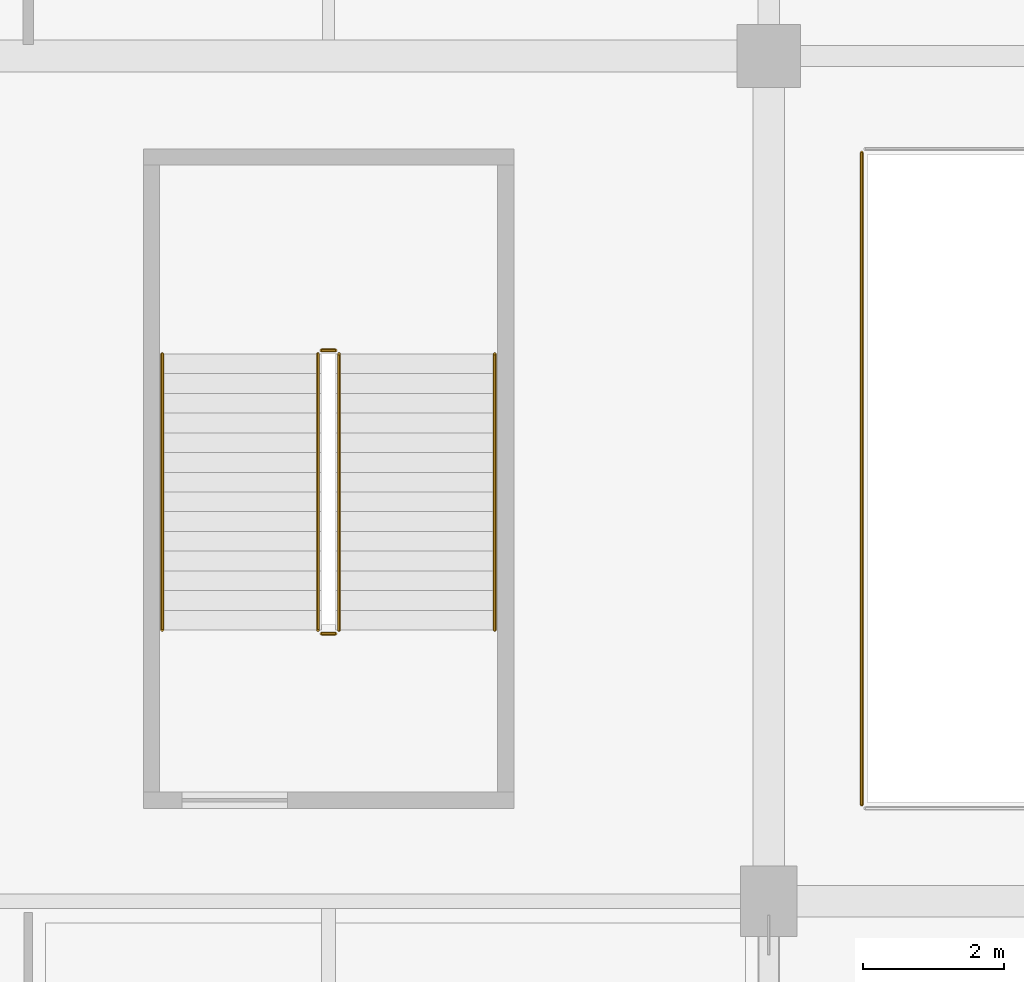
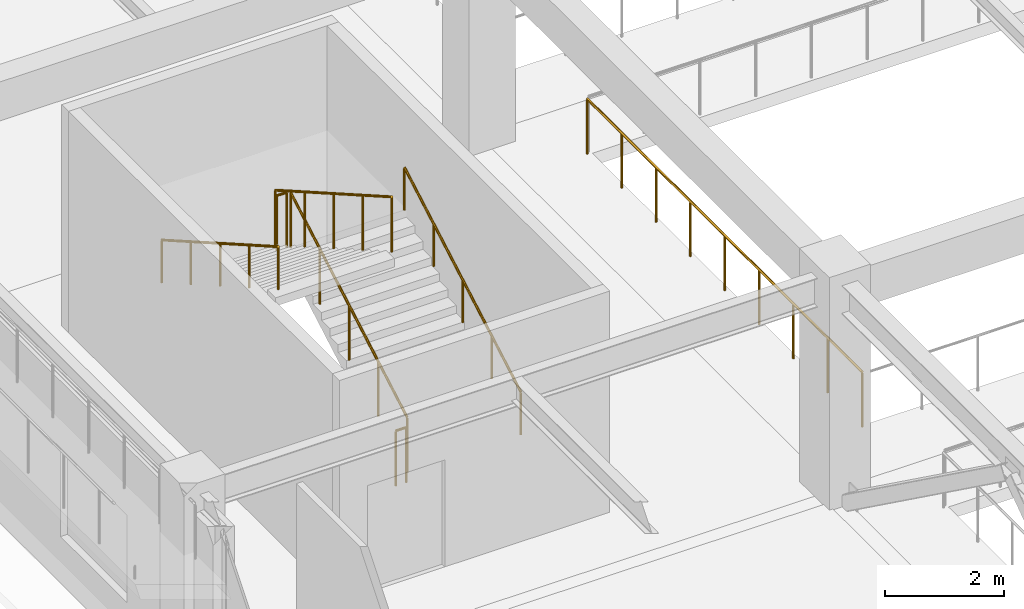
# One storey, part 119 of 134: 7 railings.
"""IFC4 building model written with IfcOpenShell, lengths in metres."""

import ifcopenshell
import ifcopenshell.guid

model = None  # the IFC model being written
_history = None  # IfcOwnerHistory: only IFC2X3 demands one
_inside = {}  # id of a spatial element -> (the spatial element, [elements in it])
_under = {}  # id of a project, library or spatial element -> (it, [spatial elements below it])
_declared = {}  # id of a project -> (the project, [libraries it declares])
_typed = {}  # id of a type object -> (the type object, [elements of that type])
_made_of = {}  # id of a material, layer set ... -> (it, [elements and type objects made of it])


def new_model(schema):
    """Start an empty IFC model of exactly this schema.

    Asked for "IFC4X3", IfcOpenShell would pick the latest addendum, in which some entities
    have other attributes; the version numbers below select the first issue.
    IFC2X3 requires an IfcOwnerHistory on every rooted entity: one is made here for all.
    """
    global model, _history
    if schema == "IFC4X3":
        model = ifcopenshell.file(schema_version=(4, 3, 0, 0))
    else:
        model = ifcopenshell.file(schema=schema)
    _inside.clear()
    _under.clear()
    _declared.clear()
    _typed.clear()
    _made_of.clear()
    _history = None
    if model.schema == "IFC2X3":
        org = make("IfcOrganization", Name="unknown")
        user = make(
            "IfcPersonAndOrganization",
            ThePerson=make("IfcPerson", FamilyName="unknown"),
            TheOrganization=org,
        )
        app = make(
            "IfcApplication",
            ApplicationDeveloper=org,
            Version="unknown",
            ApplicationFullName="unknown",
            ApplicationIdentifier="unknown",
        )
        _history = make(
            "IfcOwnerHistory",
            OwningUser=user,
            OwningApplication=app,
            ChangeAction="ADDED",
            CreationDate=0,
        )
    return model


def make(cls, **values):
    """One entity of the class cls with the attributes given. An attribute that is None is left unset."""
    return model.create_entity(
        cls, **{name: value for name, value in values.items() if value is not None}
    )


def rooted(cls, **values):
    """An entity with a GlobalId (a new one), such as an element, a storey or a relation."""
    return make(cls, GlobalId=ifcopenshell.guid.new(), OwnerHistory=_history, **values)


def si_unit(unit_type, name, prefix=None):
    """IfcSIUnit, for example si_unit("LENGTHUNIT", "METRE", prefix="MILLI")."""
    return make("IfcSIUnit", UnitType=unit_type, Prefix=prefix, Name=name)


def assignment(units):
    """IfcUnitAssignment: the units of a project."""
    return None if units is None else make("IfcUnitAssignment", Units=units)


def point(xyz):
    """IfcCartesianPoint."""
    return None if xyz is None else make("IfcCartesianPoint", Coordinates=xyz)


def direction(xyz):
    """IfcDirection."""
    return None if xyz is None else make("IfcDirection", DirectionRatios=xyz)


def frame(location, z_axis=None, x_axis=None):
    """IfcAxis2Placement3D, a coordinate frame: its origin and axes. An axis left out is left unset."""
    return make(
        "IfcAxis2Placement3D",
        Location=point(location),
        Axis=direction(z_axis),
        RefDirection=direction(x_axis),
    )


def frame_2d(location, x_axis=None):
    """IfcAxis2Placement2D, a coordinate frame in the plane: its origin and x axis."""
    return make(
        "IfcAxis2Placement2D", Location=point(location), RefDirection=direction(x_axis)
    )


def origin():
    """The frame at (0, 0, 0) with its axes left unset."""
    return frame((0.0, 0.0, 0.0))


def origin_2d():
    """The frame at (0, 0) in the plane with its x axis left unset."""
    return frame_2d((0.0, 0.0))


def place(relative_to, where):
    """IfcLocalPlacement: puts the frame where relative to a parent placement (None: the world)."""
    return make(
        "IfcLocalPlacement", PlacementRelTo=relative_to, RelativePlacement=where
    )


def context(
    kind, dimensions, precision=None, world=None, true_north=None, identifier=None
):
    """IfcGeometricRepresentationContext, for example the 3D "Model" context."""
    return make(
        "IfcGeometricRepresentationContext",
        ContextIdentifier=identifier,
        ContextType=kind,
        CoordinateSpaceDimension=dimensions,
        Precision=precision,
        WorldCoordinateSystem=world,
        TrueNorth=true_north,
    )


def subcontext(parent, identifier, kind, view, scale=None):
    """IfcGeometricRepresentationSubContext, for example "Body" below "Model"."""
    return make(
        "IfcGeometricRepresentationSubContext",
        ContextIdentifier=identifier,
        ContextType=kind,
        ParentContext=parent,
        TargetScale=scale,
        TargetView=view,
    )


def project(units=None, contexts=None):
    """IfcProject with its units and contexts."""
    return rooted(
        "IfcProject",
        Name="project",
        RepresentationContexts=contexts,
        UnitsInContext=assignment(units),
    )


def spatial(cls, under=None, at=None, **own):
    """A site, building, storey or space (cls), placed at a placement, below another one or the project."""
    s = rooted(cls, ObjectPlacement=at, **own)
    if under is not None:
        _under.setdefault(under.id(), (under, []))[1].append(s)
    return s


def profile(cls, at=None, kind="AREA", **sizes):
    """A parametric profile (cls). Its sizes go by their IFC names, for example OverallWidth=200.0."""
    return make(cls, ProfileType=kind, Position=at, **sizes)


def circle(**sizes):
    """IfcCircleProfileDef."""
    return profile("IfcCircleProfileDef", **sizes)


def extrude(swept, where, along, depth):
    """IfcExtrudedAreaSolid: the profile swept, set in the frame where, extruded along a direction by depth."""
    return make(
        "IfcExtrudedAreaSolid",
        SweptArea=swept,
        Position=where,
        ExtrudedDirection=direction(along),
        Depth=depth,
    )


def shape(context_of_items, identifier, shape_type, items):
    """IfcShapeRepresentation: the items that make up one representation, for example the "Body"."""
    return make(
        "IfcShapeRepresentation",
        ContextOfItems=context_of_items,
        RepresentationIdentifier=identifier,
        RepresentationType=shape_type,
        Items=items,
    )


def material(Name=None, Category=None):
    """IfcMaterial."""
    return make("IfcMaterial", Name=Name, Category=Category)


def layer(
    of_material, thickness, ventilated=None, Name=None, Category=None, Priority=None
):
    """IfcMaterialLayer: one layer of a wall or slab, of a material (None: an air gap)."""
    return make(
        "IfcMaterialLayer",
        Material=of_material,
        LayerThickness=thickness,
        IsVentilated=ventilated,
        Name=Name,
        Category=Category,
        Priority=Priority,
    )


def layer_set(layers, Name=None):
    """IfcMaterialLayerSet."""
    return make("IfcMaterialLayerSet", MaterialLayers=layers, LayerSetName=Name)


def made_of(thing, what):
    """Note that an element or type object is made of a material, layer set ...; save() writes the relation."""
    if what is not None:
        _made_of.setdefault(what.id(), (what, []))[1].append(thing)
    return thing


def type_object(cls, material=None, **own):
    """A type object (cls), such as IfcWallType, which elements share."""
    return made_of(rooted(cls, **own), material)


def element(
    cls,
    number,
    at=None,
    inside=None,
    cuts=None,
    type_object=None,
    material=None,
    context=None,
    identifier="Body",
    shape_type=None,
    held_by="IfcProductDefinitionShape",
    body=None,
    shapes=None,
    **own,
):
    """One element of the class cls, such as IfcWall. Its Tag is "e" and its number.

    at: its placement. inside: the storey or other place that contains it. cuts: it is an
    opening in that element (IfcRelVoidsElement). A single representation is given by context,
    identifier, shape_type and body (its items); several are given by shapes. held_by: the class
    of the entity that holds the representations. save() writes the other relations.
    """
    e = rooted(cls, Tag="e%d" % number, ObjectPlacement=at, **own)
    if body is not None:
        shapes = [shape(context, identifier, shape_type, body)]
    if shapes is not None:
        e.Representation = make(held_by, Representations=shapes)
    if inside is not None:
        _inside.setdefault(inside.id(), (inside, []))[1].append(e)
    if cuts is not None:
        rooted(
            "IfcRelVoidsElement", RelatingBuildingElement=cuts, RelatedOpeningElement=e
        )
    if type_object is not None:
        _typed.setdefault(type_object.id(), (type_object, []))[1].append(e)
    return made_of(e, material)


def aggregate(whole, parts):
    """IfcRelAggregates: a whole, such as a stair, and the parts it consists of."""
    return rooted("IfcRelAggregates", RelatingObject=whole, RelatedObjects=parts)


def save(model, path):
    """Write the relations noted so far, then the file.

    IfcRelAggregates (storeys below a building ...), IfcRelContainedInSpatialStructure (elements
    in a storey), IfcRelDefinesByType, IfcRelAssociatesMaterial and IfcRelDeclares: one each for
    every whole, place, type object, material and project.
    """
    for whole, parts in _under.values():
        aggregate(whole, parts)
    for where, things in _inside.values():
        rooted(
            "IfcRelContainedInSpatialStructure",
            RelatedElements=things,
            RelatingStructure=where,
        )
    for kind, things in _typed.values():
        rooted("IfcRelDefinesByType", RelatedObjects=things, RelatingType=kind)
    for what, things in _made_of.values():
        rooted("IfcRelAssociatesMaterial", RelatedObjects=things, RelatingMaterial=what)
    for by, libraries in _declared.values():
        rooted("IfcRelDeclares", RelatingContext=by, RelatedDefinitions=libraries)
    model.write(path)


model = new_model("IFC4")

# Units and contexts
model_context = context("Model", 3, precision=1e-05, world=origin(), true_north=direction((0.0, 1.0)))
body_context = subcontext(model_context, "Body", "Model", "MODEL_VIEW")
ifc_project = project(units=[si_unit("LENGTHUNIT", "METRE"), si_unit("AREAUNIT", "SQUARE_METRE"), si_unit("VOLUMEUNIT", "CUBIC_METRE"), si_unit("PLANEANGLEUNIT", "RADIAN"), si_unit("MASSUNIT", "GRAM", prefix="KILO")], contexts=[model_context])

# Site, building, storey
site_placement = place(None, origin())
site = spatial("IfcSite", under=ifc_project, at=site_placement, CompositionType="ELEMENT")
building_placement = place(site_placement, origin())
building = spatial("IfcBuilding", under=site, at=building_placement, Name="Kazenohara Klinker Stadium", CompositionType="ELEMENT")
storey_placement = place(building_placement, frame((0.0, 0.0, 5.39990234375)))
storey = spatial("IfcBuildingStorey", under=building, at=storey_placement, Name="L01", CompositionType="ELEMENT", Elevation=5.39990234375)

# Railings
ifc_material_1 = material(Name="Tempered laminated glass and stainless steel 316 balustrade", Category="steel")
ifc_layer_1 = layer(ifc_material_1, 0.090087890625)
ifc_layer_set_1 = layer_set([ifc_layer_1], Name="Tempered laminated glass and stainless steel 316 balustrade")
railing_type_1 = type_object("IfcRailingType", Name="RL-BAL-1150", PredefinedType="BALUSTRADE", material=ifc_layer_set_1)
railing_1_placement = place(storey_placement, frame((188.820068359375, 73.3701171875, 0.0)))
element("IfcRailing", 1, at=railing_1_placement, inside=storey, type_object=railing_type_1, Name="Double-height atrium gallery balustrade BL01-V06-W", PredefinedType="BALUSTRADE", context=body_context, shape_type="SweptSolid", body=[
    extrude(circle(Radius=0.02392578125, at=origin_2d()), frame((0.0, 0.0, 1.1259765625), z_axis=(0.0, 1.0, 0.0), x_axis=(-1.0, 0.0, 0.0)), (0.0, 0.0, 1.0), 9.259765625),
    extrude(circle(Radius=0.02099609375, at=origin_2d()), origin(), (0.0, 0.0, 1.0), 1.101806640625),
    extrude(circle(Radius=0.02099609375, at=origin_2d()), frame((0.0, 1.157470703125, 0.0)), (0.0, 0.0, 1.0), 1.101806640625),
    extrude(circle(Radius=0.02099609375, at=origin_2d()), frame((0.0, 2.31494140625, 0.0)), (0.0, 0.0, 1.0), 1.101806640625),
    extrude(circle(Radius=0.02099609375, at=origin_2d()), frame((0.0, 3.472412109375, 0.0)), (0.0, 0.0, 1.0), 1.101806640625),
    extrude(circle(Radius=0.02099609375, at=origin_2d()), frame((0.0, 4.6298828125, 0.0)), (0.0, 0.0, 1.0), 1.101806640625),
    extrude(circle(Radius=0.02099609375, at=origin_2d()), frame((0.0, 5.787353515625, 0.0)), (0.0, 0.0, 1.0), 1.101806640625),
    extrude(circle(Radius=0.02099609375, at=origin_2d()), frame((0.0, 6.94482421875, 0.0)), (0.0, 0.0, 1.0), 1.101806640625),
    extrude(circle(Radius=0.02099609375, at=origin_2d()), frame((0.0, 8.102294921875, 0.0)), (0.0, 0.0, 1.0), 1.101806640625),
    extrude(circle(Radius=0.02099609375, at=origin_2d()), frame((0.0, 9.259765625, 0.0)), (0.0, 0.0, 1.0), 1.101806640625),
])
ifc_material_2 = material(Name="Brushed stainless steel 304 handrail", Category="steel")
ifc_layer_2 = layer(ifc_material_2, 0.050048828125)
ifc_layer_set_2 = layer_set([ifc_layer_2], Name="Brushed stainless steel 304 handrail")
railing_type_2 = type_object("IfcRailingType", Name="RL-HND-900", PredefinedType="HANDRAIL", material=ifc_layer_set_2)
railing_2_placement = place(storey_placement, frame((183.610107421875, 75.85009765625, 0.16015625)))
element("IfcRailing", 2, at=railing_2_placement, inside=storey, type_object=railing_type_2, Name="L01 ST22 stair handrail 1", PredefinedType="HANDRAIL", context=body_context, shape_type="SweptSolid", body=[
    extrude(circle(Radius=0.02392578125, at=origin_2d()), frame((0.0, 0.0, 0.8759765625), z_axis=(0.0, 0.868239814368, 0.496144761885), x_axis=(-1.0, 0.0, 0.0)), (0.0, 0.0, 1.0), 4.514892578125),
    extrude(circle(Radius=0.02099609375, at=origin_2d()), origin(), (0.0, 0.0, 1.0), 0.851806640625),
    extrude(circle(Radius=0.02099609375, at=origin_2d()), frame((0.0, 0.97998046875, 0.56005859375)), (0.0, 0.0, 1.0), 0.851806640625),
    extrude(circle(Radius=0.02099609375, at=origin_2d()), frame((0.0, 1.9599609375, 1.1201171875)), (0.0, 0.0, 1.0), 0.851806640625),
    extrude(circle(Radius=0.02099609375, at=origin_2d()), frame((0.0, 2.93994140625, 1.679931640625)), (0.0, 0.0, 1.0), 0.851806640625),
    extrude(circle(Radius=0.02099609375, at=origin_2d()), frame((0.0, 3.919921875, 2.239990234375)), (0.0, 0.0, 1.0), 0.851806640625),
])
railing_3_placement = place(storey_placement, frame((178.889892578125, 79.77001953125, 2.56005859375)))
element("IfcRailing", 3, at=railing_3_placement, inside=storey, type_object=railing_type_2, Name="L01 ST22 stair handrail 2", PredefinedType="HANDRAIL", context=body_context, shape_type="SweptSolid", body=[
    extrude(circle(Radius=0.02392578125, at=origin_2d()), frame((0.0, 0.0, 0.8759765625), z_axis=(0.0, -0.868239814368, 0.496144761885), x_axis=(1.0, 0.0, 0.0)), (0.0, 0.0, 1.0), 4.514892578125),
    extrude(circle(Radius=0.02099609375, at=origin_2d()), origin(), (0.0, 0.0, 1.0), 0.851806640625),
    extrude(circle(Radius=0.02099609375, at=origin_2d()), frame((0.0, -0.97998046875, 0.56005859375)), (0.0, 0.0, 1.0), 0.851806640625),
    extrude(circle(Radius=0.02099609375, at=origin_2d()), frame((0.0, -1.9599609375, 1.1201171875)), (0.0, 0.0, 1.0), 0.851806640625),
    extrude(circle(Radius=0.02099609375, at=origin_2d()), frame((0.0, -2.93994140625, 1.679931640625)), (0.0, 0.0, 1.0), 0.851806640625),
    extrude(circle(Radius=0.02099609375, at=origin_2d()), frame((0.0, -3.919921875, 2.239990234375)), (0.0, 0.0, 1.0), 0.851806640625),
])
ifc_material_3 = material(Name="Painted steel stairwell guardrail", Category="steel")
ifc_layer_3 = layer(ifc_material_3, 0.06005859375)
ifc_layer_set_3 = layer_set([ifc_layer_3], Name="Painted steel stairwell guardrail")
railing_type_3 = type_object("IfcRailingType", Name="RL-STG-1120", PredefinedType="GUARDRAIL", material=ifc_layer_set_3)
railing_4_placement = place(storey_placement, frame((181.39990234375, 75.85009765625, 0.16015625)))
element("IfcRailing", 4, at=railing_4_placement, inside=storey, type_object=railing_type_3, Name="L01 ST22 stair guard 1", PredefinedType="GUARDRAIL", context=body_context, shape_type="SweptSolid", body=[
    extrude(circle(Radius=0.02392578125, at=origin_2d()), frame((0.0, 0.0, 1.1259765625), z_axis=(0.0, 0.868239814368, 0.496144761885), x_axis=(-1.0, 0.0, 0.0)), (0.0, 0.0, 1.0), 4.514892578125),
    extrude(circle(Radius=0.02099609375, at=origin_2d()), origin(), (0.0, 0.0, 1.0), 1.101806640625),
    extrude(circle(Radius=0.02099609375, at=origin_2d()), frame((0.0, 0.97998046875, 0.56005859375)), (0.0, 0.0, 1.0), 1.101806640625),
    extrude(circle(Radius=0.02099609375, at=origin_2d()), frame((0.0, 1.9599609375, 1.1201171875)), (0.0, 0.0, 1.0), 1.101806640625),
    extrude(circle(Radius=0.02099609375, at=origin_2d()), frame((0.0, 2.93994140625, 1.679931640625)), (0.0, 0.0, 1.0), 1.101806640625),
    extrude(circle(Radius=0.02099609375, at=origin_2d()), frame((0.0, 3.919921875, 2.239990234375)), (0.0, 0.0, 1.0), 1.101806640625),
])
railing_5_placement = place(storey_placement, frame((181.35009765625, 79.820068359375, 2.400146484375)))
element("IfcRailing", 5, at=railing_5_placement, inside=storey, type_object=railing_type_3, Name="L01 ST22 stair guard 2", PredefinedType="GUARDRAIL", context=body_context, shape_type="SweptSolid", body=[
    extrude(circle(Radius=0.02392578125, at=origin_2d()), frame((0.0, 0.0, 1.1259765625), z_axis=(-1.0, 0.0, 0.0), x_axis=(0.0, -1.0, 0.0)), (0.0, 0.0, 1.0), 0.2001953125),
    extrude(circle(Radius=0.02099609375, at=origin_2d()), origin(), (0.0, 0.0, 1.0), 1.101806640625),
    extrude(circle(Radius=0.02099609375, at=origin_2d()), frame((-0.2001953125, 0.0, 0.0)), (0.0, 0.0, 1.0), 1.101806640625),
])
railing_6_placement = place(storey_placement, frame((181.10009765625, 79.77001953125, 2.56005859375)))
element("IfcRailing", 6, at=railing_6_placement, inside=storey, type_object=railing_type_3, Name="L01 ST22 stair guard 3", PredefinedType="GUARDRAIL", context=body_context, shape_type="SweptSolid", body=[
    extrude(circle(Radius=0.02392578125, at=origin_2d()), frame((0.0, 0.0, 1.1259765625), z_axis=(0.0, -0.868239814368, 0.496144761885), x_axis=(1.0, 0.0, 0.0)), (0.0, 0.0, 1.0), 4.514892578125),
    extrude(circle(Radius=0.02099609375, at=origin_2d()), origin(), (0.0, 0.0, 1.0), 1.101806640625),
    extrude(circle(Radius=0.02099609375, at=origin_2d()), frame((0.0, -0.97998046875, 0.56005859375)), (0.0, 0.0, 1.0), 1.101806640625),
    extrude(circle(Radius=0.02099609375, at=origin_2d()), frame((0.0, -1.9599609375, 1.1201171875)), (0.0, 0.0, 1.0), 1.101806640625),
    extrude(circle(Radius=0.02099609375, at=origin_2d()), frame((0.0, -2.93994140625, 1.679931640625)), (0.0, 0.0, 1.0), 1.101806640625),
    extrude(circle(Radius=0.02099609375, at=origin_2d()), frame((0.0, -3.919921875, 2.239990234375)), (0.0, 0.0, 1.0), 1.101806640625),
])
railing_7_placement = place(storey_placement, frame((181.35009765625, 75.800048828125, 0.0)))
element("IfcRailing", 7, at=railing_7_placement, inside=storey, type_object=railing_type_3, Name="L01 ST22 stair guard 4", PredefinedType="GUARDRAIL", context=body_context, shape_type="SweptSolid", body=[
    extrude(circle(Radius=0.02392578125, at=origin_2d()), frame((0.0, 0.0, 1.1259765625), z_axis=(-1.0, 0.0, 0.0), x_axis=(0.0, -1.0, 0.0)), (0.0, 0.0, 1.0), 0.2001953125),
    extrude(circle(Radius=0.02099609375, at=origin_2d()), origin(), (0.0, 0.0, 1.0), 1.101806640625),
    extrude(circle(Radius=0.02099609375, at=origin_2d()), frame((-0.2001953125, 0.0, 0.0)), (0.0, 0.0, 1.0), 1.101806640625),
])

save(model, "model.ifc")
